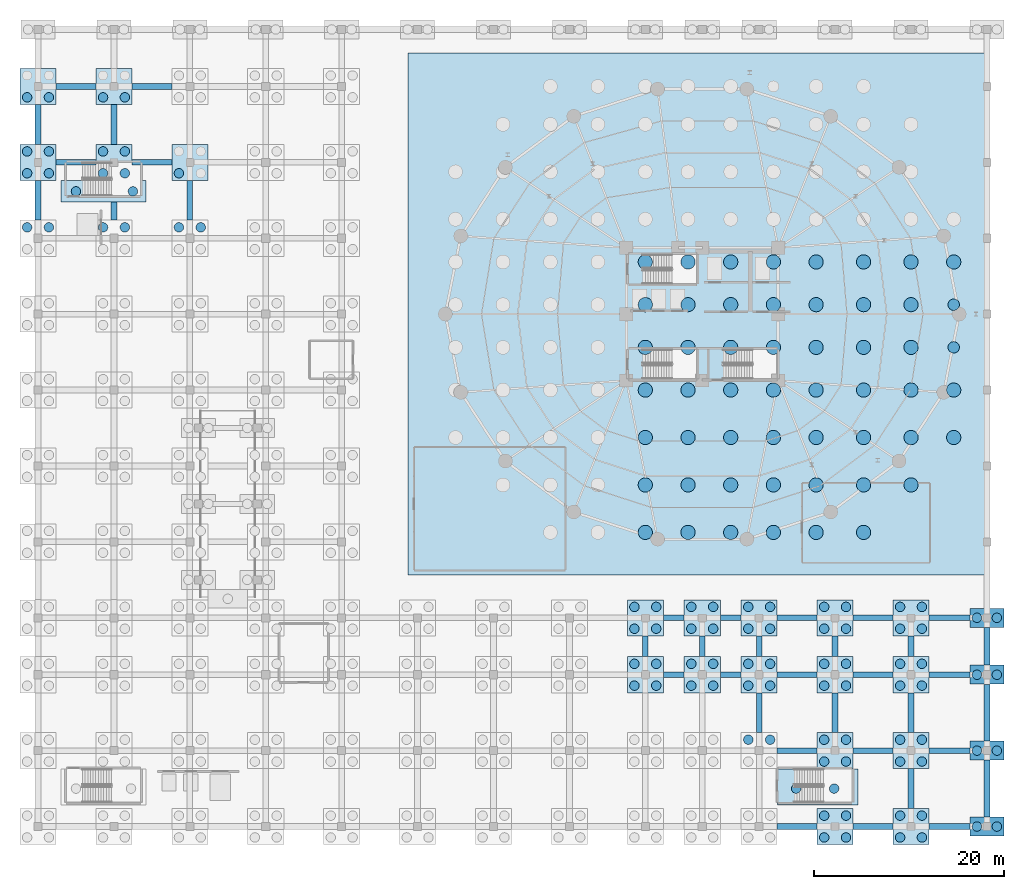
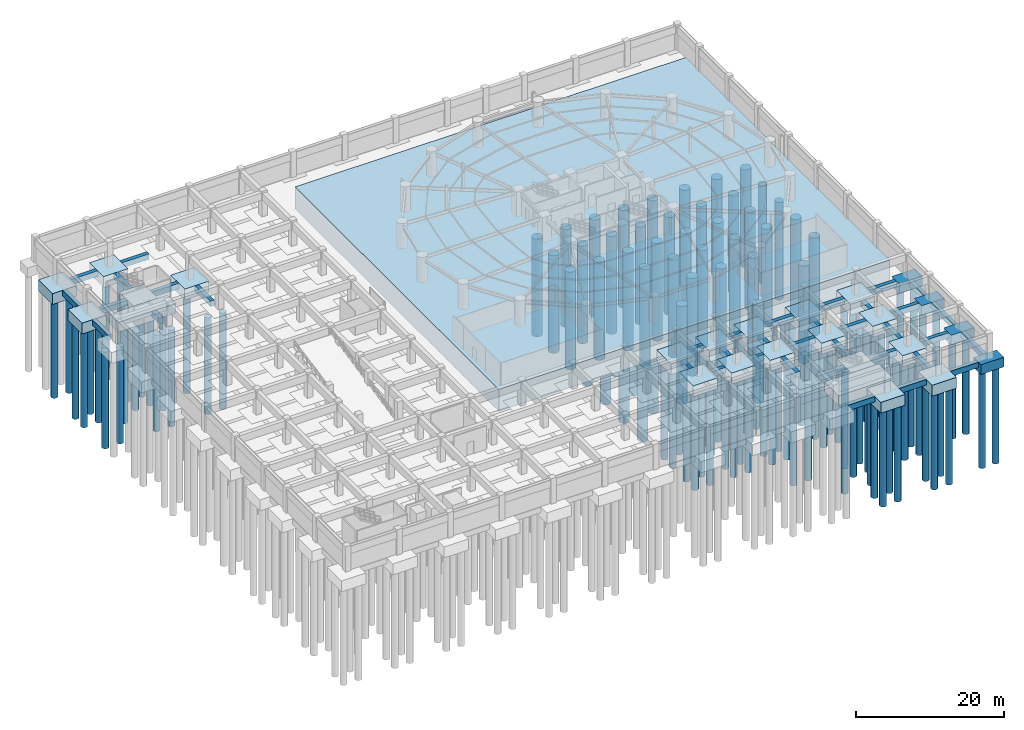
# One storey, part 3 of 23: 142 piles, 63 footings.
"""IFC4 building model written with IfcOpenShell, lengths in metres."""

from ifc_helpers import new_model, si_unit, direction, frame, origin, origin_2d, place, context, subcontext, project, spatial, polyline, rectangle, circle, outline, extrude, source, transform, mapped, material, material_profile, profile_set, type_object, element, save


model = new_model("IFC4")

# Units and contexts
model_context = context("Model", 3, precision=1e-05, world=origin(), true_north=direction((0.0, 1.0)))
body_context = subcontext(model_context, "Body", "Model", "MODEL_VIEW")
ifc_project = project(units=[si_unit("LENGTHUNIT", "METRE"), si_unit("AREAUNIT", "SQUARE_METRE"), si_unit("VOLUMEUNIT", "CUBIC_METRE"), si_unit("PLANEANGLEUNIT", "RADIAN"), si_unit("MASSUNIT", "GRAM", prefix="KILO")], contexts=[model_context])

# Site, building, storey
site_placement = place(None, origin())
site = spatial("IfcSite", under=ifc_project, at=site_placement, CompositionType="ELEMENT")
building_placement = place(site_placement, origin())
building = spatial("IfcBuilding", under=site, at=building_placement, Name="Kelanora Arch Commons", CompositionType="ELEMENT")
storey_placement = place(building_placement, frame((0.0, 0.0, -8.39990234375)))
storey = spatial("IfcBuildingStorey", under=building, at=storey_placement, Name="B02", CompositionType="ELEMENT", Elevation=-8.39990234375)

# Footing
ifc_material_1 = material(Name="Concrete C50/60", Category="concrete")
footing_type_1 = type_object("IfcFootingType", Name="FTG-TOWER-RAFT", PredefinedType="PILE_CAP", material=ifc_material_1)
footing_1_placement = place(storey_placement, frame((0.0, 0.0, -3.60009765625)))
element("IfcFooting", 1, at=footing_1_placement, inside=storey, type_object=footing_type_1, Name="Tower and Giant Arch Piled Raft", PredefinedType="PILE_CAP", context=body_context, shape_type="SweptSolid", body=[
    extrude(outline(polyline([(43.0, 30.5), (103.89990234375, 30.5), (103.89990234375, 85.5), (43.0, 85.5), (43.0, 30.5)])), origin(), (0.0, 0.0, 1.0), 3.60009765625),
])

# Piles
ifc_material_2 = material(Name="Concrete C45/55", Category="concrete")
ifc_material_profile_1 = material_profile(ifc_material_2, circle(Radius=0.75, at=origin_2d()), Name="PILE1500")
ifc_profile_set_1 = profile_set([ifc_material_profile_1], Name="Concrete C45/55")
pile_type_1 = type_object("IfcPileType", Name="PILE-TWR-1500", PredefinedType="BORED", material=ifc_profile_set_1)
shared_shape_1 = source(origin(), body_context, "Body", "SweptSolid", [
    extrude(circle(Radius=0.75, at=origin_2d()), origin(), (0.0, 0.0, 1.0), 16.10009765625),
])
for number, where, z_axis, x_axis, name in (
    (2, (68.0, 35.0, -3.5), (0.0, 0.0, -1.0), (1.0, 0.0, 0.0), "Tower Bored Pile 039"),
    (3, (68.0, 40.0, -3.5), (0.0, 0.0, -1.0), (1.0, 0.0, 0.0), "Tower Bored Pile 040"),
    (4, (68.0, 45.0, -3.5), (0.0, 0.0, -1.0), (1.0, 0.0, 0.0), "Tower Bored Pile 041"),
    (5, (68.0, 50.0, -3.5), (0.0, 0.0, -1.0), (1.0, 0.0, 0.0), "Tower Bored Pile 042"),
    (6, (68.0, 54.5, -3.5), (0.0, 0.0, -1.0), (1.0, 0.0, 0.0), "Tower Bored Pile 043"),
    (7, (68.0, 59.0, -3.5), (0.0, 0.0, -1.0), (1.0, 0.0, 0.0), "Tower Bored Pile 044"),
    (8, (68.0, 63.5, -3.5), (0.0, 0.0, -1.0), (1.0, 0.0, 0.0), "Tower Bored Pile 045"),
    (9, (72.5, 35.0, -3.5), (0.0, 0.0, -1.0), (1.0, 0.0, 0.0), "Tower Bored Pile 050"),
    (10, (72.5, 40.0, -3.5), (0.0, 0.0, -1.0), (1.0, 0.0, 0.0), "Tower Bored Pile 051"),
    (11, (72.5, 45.0, -3.5), (0.0, 0.0, -1.0), (1.0, 0.0, 0.0), "Tower Bored Pile 052"),
    (12, (72.5, 50.0, -3.5), (0.0, 0.0, -1.0), (1.0, 0.0, 0.0), "Tower Bored Pile 053"),
    (13, (72.5, 54.5, -3.5), (0.0, 0.0, -1.0), (1.0, 0.0, 0.0), "Tower Bored Pile 054"),
    (14, (72.5, 59.0, -3.5), (0.0, 0.0, -1.0), (1.0, 0.0, 0.0), "Tower Bored Pile 055"),
    (15, (72.5, 63.5, -3.5), (0.0, 0.0, -1.0), (1.0, 0.0, 0.0), "Tower Bored Pile 056"),
    (16, (77.0, 35.0, -3.5), (0.0, 0.0, -1.0), (1.0, 0.0, 0.0), "Tower Bored Pile 061"),
    (17, (77.0, 40.0, -3.5), (0.0, 0.0, -1.0), (1.0, 0.0, 0.0), "Tower Bored Pile 062"),
    (18, (77.0, 45.0, -3.5), (0.0, 0.0, -1.0), (1.0, 0.0, 0.0), "Tower Bored Pile 063"),
    (19, (77.0, 50.0, -3.5), (0.0, 0.0, -1.0), (1.0, 0.0, 0.0), "Tower Bored Pile 064"),
    (20, (77.0, 54.5, -3.5), (0.0, 0.0, -1.0), (1.0, 0.0, 0.0), "Tower Bored Pile 065"),
    (21, (77.0, 59.0, -3.5), (0.0, 0.0, -1.0), (1.0, 0.0, 0.0), "Tower Bored Pile 066"),
    (22, (77.0, 63.5, -3.5), (0.0, 0.0, -1.0), (1.0, 0.0, 0.0), "Tower Bored Pile 067"),
    (23, (81.5, 35.0, -3.5), (0.0, 0.0, -1.0), (1.0, 0.0, 0.0), "Tower Bored Pile 072"),
    (24, (81.5, 40.0, -3.5), (0.0, 0.0, -1.0), (1.0, 0.0, 0.0), "Tower Bored Pile 073"),
    (25, (81.5, 45.0, -3.5), (0.0, 0.0, -1.0), (1.0, 0.0, 0.0), "Tower Bored Pile 074"),
    (26, (81.5, 50.0, -3.5), (0.0, 0.0, -1.0), (1.0, 0.0, 0.0), "Tower Bored Pile 075"),
    (27, (81.5, 54.5, -3.5), (0.0, 0.0, -1.0), (1.0, 0.0, 0.0), "Tower Bored Pile 076"),
    (28, (81.5, 59.0, -3.5), (0.0, 0.0, -1.0), (1.0, 0.0, 0.0), "Tower Bored Pile 077"),
    (29, (81.5, 63.5, -3.5), (0.0, 0.0, -1.0), (1.0, 0.0, 0.0), "Tower Bored Pile 078"),
    (30, (86.0, 35.0, -3.5), (0.0, 0.0, -1.0), (1.0, 0.0, 0.0), "Tower Bored Pile 083"),
    (31, (86.0, 40.0, -3.5), (0.0, 0.0, -1.0), (1.0, 0.0, 0.0), "Tower Bored Pile 084"),
    (32, (86.0, 45.0, -3.5), (0.0, 0.0, -1.0), (1.0, 0.0, 0.0), "Tower Bored Pile 085"),
    (33, (86.0, 50.0, -3.5), (0.0, 0.0, -1.0), (1.0, 0.0, 0.0), "Tower Bored Pile 086"),
    (34, (86.0, 54.5, -3.5), (0.0, 0.0, -1.0), (1.0, 0.0, 0.0), "Tower Bored Pile 087"),
    (35, (86.0, 59.0, -3.5), (0.0, 0.0, -1.0), (1.0, 0.0, 0.0), "Tower Bored Pile 088"),
    (36, (86.0, 63.5, -3.5), (0.0, 0.0, -1.0), (1.0, 0.0, 0.0), "Tower Bored Pile 089"),
    (37, (91.0, 35.0, -3.5), (0.0, 0.0, -1.0), (1.0, 0.0, 0.0), "Tower Bored Pile 094"),
    (38, (91.0, 40.0, -3.5), (0.0, 0.0, -1.0), (1.0, 0.0, 0.0), "Tower Bored Pile 095"),
    (39, (91.0, 45.0, -3.5), (0.0, 0.0, -1.0), (1.0, 0.0, 0.0), "Tower Bored Pile 096"),
    (40, (91.0, 50.0, -3.5), (0.0, 0.0, -1.0), (1.0, 0.0, 0.0), "Tower Bored Pile 097"),
    (41, (91.0, 54.5, -3.5), (0.0, 0.0, -1.0), (1.0, 0.0, 0.0), "Tower Bored Pile 098"),
    (42, (91.0, 59.0, -3.5), (0.0, 0.0, -1.0), (1.0, 0.0, 0.0), "Tower Bored Pile 099"),
    (43, (91.0, 63.5, -3.5), (0.0, 0.0, -1.0), (1.0, 0.0, 0.0), "Tower Bored Pile 100"),
    (44, (96.0, 40.0, -3.5), (0.0, 0.0, -1.0), (1.0, 0.0, 0.0), "Tower Bored Pile 105"),
    (45, (96.0, 45.0, -3.5), (0.0, 0.0, -1.0), (1.0, 0.0, 0.0), "Tower Bored Pile 106"),
    (46, (96.0, 50.0, -3.5), (0.0, 0.0, -1.0), (1.0, 0.0, 0.0), "Tower Bored Pile 107"),
    (47, (96.0, 54.5, -3.5), (0.0, 0.0, -1.0), (1.0, 0.0, 0.0), "Tower Bored Pile 108"),
    (48, (96.0, 59.0, -3.5), (0.0, 0.0, -1.0), (1.0, 0.0, 0.0), "Tower Bored Pile 109"),
    (49, (96.0, 63.5, -3.5), (0.0, 0.0, -1.0), (1.0, 0.0, 0.0), "Tower Bored Pile 110"),
    (50, (100.5, 45.0, -3.5), (0.0, 0.0, -1.0), (1.0, 0.0, 0.0), "Tower Bored Pile 114"),
    (51, (100.5, 50.0, -3.5), (0.0, 0.0, -1.0), (1.0, 0.0, 0.0), "Tower Bored Pile 115"),
    (52, (100.5, 63.5, -3.5), (0.0, 0.0, -1.0), (1.0, 0.0, 0.0), "Tower Bored Pile 118"),
):
    element("IfcPile", number, at=place(storey_placement, frame(where, z_axis=z_axis, x_axis=x_axis)), inside=storey, type_object=pile_type_1, Name=name, PredefinedType="BORED", context=body_context, shape_type="MappedRepresentation", body=[
        mapped(shared_shape_1, transform((0.0, 0.0, 0.0), scale=1.0)),
    ])
ifc_material_profile_2 = material_profile(ifc_material_2, circle(Radius=0.60009765625, at=origin_2d()), Name="PILE1200")
ifc_profile_set_2 = profile_set([ifc_material_profile_2], Name="Concrete C45/55")
pile_type_2 = type_object("IfcPileType", Name="PILE-ABT-1200", PredefinedType="BORED", material=ifc_profile_set_2)
shared_shape_2 = source(origin(), body_context, "Body", "SweptSolid", [
    extrude(circle(Radius=0.60009765625, at=origin_2d()), origin(), (0.0, 0.0, 1.0), 16.10009765625),
])
for number, where, z_axis, x_axis, name in (
    (53, (100.5, 54.5, -3.5), (0.0, 0.0, -1.0), (1.0, 0.0, 0.0), "Tower Bored Pile 116"),
    (54, (100.5, 59.0, -3.5), (0.0, 0.0, -1.0), (1.0, 0.0, 0.0), "Tower Bored Pile 117"),
):
    element("IfcPile", number, at=place(storey_placement, frame(where, z_axis=z_axis, x_axis=x_axis)), inside=storey, type_object=pile_type_2, Name=name, PredefinedType="BORED", context=body_context, shape_type="MappedRepresentation", body=[
        mapped(shared_shape_2, transform((0.0, 0.0, 0.0), scale=1.0)),
    ])

# Footings
ifc_material_3 = material(Name="Concrete C40/50", Category="concrete")
footing_type_2 = type_object("IfcFootingType", Name="FTG-MKT-CAP4", PredefinedType="PILE_CAP", material=ifc_material_3)
shared_shape_3 = source(origin(), body_context, "Body", "SweptSolid", [
    extrude(rectangle(XDim=3.800048828125, YDim=3.800048828125, at=origin_2d()), origin(), (0.0, 0.0, 1.0), 1.800048828125),
])
for number, where, z_axis, x_axis, name in (
    (55, (4.0, 74.0, -1.80029296875), (0.0, 0.0, 1.0), (1.0, 0.0, 0.0), "Pile Cap 1-K"),
    (56, (4.0, 82.0, -1.80029296875), (0.0, 0.0, 1.0), (1.0, 0.0, 0.0), "Pile Cap 1-L"),
    (57, (12.0, 74.0, -1.80029296875), (0.0, 0.0, 1.0), (1.0, 0.0, 0.0), "Pile Cap 2-K"),
    (58, (12.0, 82.0, -1.80029296875), (0.0, 0.0, 1.0), (1.0, 0.0, 0.0), "Pile Cap 2-L"),
    (59, (20.0, 74.0, -1.80029296875), (0.0, 0.0, 1.0), (1.0, 0.0, 0.0), "Pile Cap 3-K"),
    (60, (68.0, 20.0, -1.80029296875), (0.0, 0.0, 1.0), (1.0, 0.0, 0.0), "Pile Cap 9-C"),
    (61, (68.0, 26.0, -1.80029296875), (0.0, 0.0, 1.0), (1.0, 0.0, 0.0), "Pile Cap 9-D"),
    (62, (74.0, 20.0, -1.80029296875), (0.0, 0.0, 1.0), (1.0, 0.0, 0.0), "Pile Cap 10-C"),
    (63, (74.0, 26.0, -1.80029296875), (0.0, 0.0, 1.0), (1.0, 0.0, 0.0), "Pile Cap 10-D"),
    (64, (80.0, 20.0, -1.80029296875), (0.0, 0.0, 1.0), (1.0, 0.0, 0.0), "Pile Cap 11-C"),
    (65, (80.0, 26.0, -1.80029296875), (0.0, 0.0, 1.0), (1.0, 0.0, 0.0), "Pile Cap 11-D"),
    (66, (88.0, 4.0, -1.80029296875), (0.0, 0.0, 1.0), (1.0, 0.0, 0.0), "Pile Cap 12-A"),
    (67, (88.0, 12.0, -1.80029296875), (0.0, 0.0, 1.0), (1.0, 0.0, 0.0), "Pile Cap 12-B"),
    (68, (88.0, 20.0, -1.80029296875), (0.0, 0.0, 1.0), (1.0, 0.0, 0.0), "Pile Cap 12-C"),
    (69, (88.0, 26.0, -1.80029296875), (0.0, 0.0, 1.0), (1.0, 0.0, 0.0), "Pile Cap 12-D"),
    (70, (96.0, 4.0, -1.80029296875), (0.0, 0.0, 1.0), (1.0, 0.0, 0.0), "Pile Cap 13-A"),
    (71, (96.0, 12.0, -1.80029296875), (0.0, 0.0, 1.0), (1.0, 0.0, 0.0), "Pile Cap 13-B"),
    (72, (96.0, 20.0, -1.80029296875), (0.0, 0.0, 1.0), (1.0, 0.0, 0.0), "Pile Cap 13-C"),
    (73, (96.0, 26.0, -1.80029296875), (0.0, 0.0, 1.0), (1.0, 0.0, 0.0), "Pile Cap 13-D"),
):
    element("IfcFooting", number, at=place(storey_placement, frame(where, z_axis=z_axis, x_axis=x_axis)), inside=storey, type_object=footing_type_2, Name=name, PredefinedType="PILE_CAP", context=body_context, shape_type="MappedRepresentation", body=[
        mapped(shared_shape_3, transform((0.0, 0.0, 0.0), scale=1.0)),
    ])

# Piles
ifc_material_profile_3 = material_profile(ifc_material_2, circle(Radius=0.5, at=origin_2d()), Name="PILE1000")
ifc_profile_set_3 = profile_set([ifc_material_profile_3], Name="Concrete C45/55")
pile_type_3 = type_object("IfcPileType", Name="PILE-MKT-1000", PredefinedType="BORED", material=ifc_profile_set_3)
shared_shape_4 = source(origin(), body_context, "Body", "SweptSolid", [
    extrude(circle(Radius=0.5, at=origin_2d()), origin(), (0.0, 0.0, 1.0), 15.89990234375),
])
for number, where, z_axis, x_axis, name in (
    (74, (5.14990234375, 67.14990234375, -1.7001953125), (0.0, 0.0, -1.0), (1.0, 0.0, 0.0), "Market Bored Pile 1-J-3"),
    (75, (2.85009765625, 67.14990234375, -1.7001953125), (0.0, 0.0, -1.0), (1.0, 0.0, 0.0), "Market Bored Pile 1-J-4"),
    (76, (2.85009765625, 72.85009765625, -1.7001953125), (0.0, 0.0, -1.0), (1.0, 0.0, 0.0), "Market Bored Pile 1-K-1"),
    (77, (5.14990234375, 72.85009765625, -1.7001953125), (0.0, 0.0, -1.0), (1.0, 0.0, 0.0), "Market Bored Pile 1-K-2"),
    (78, (5.14990234375, 75.14990234375, -1.7001953125), (0.0, 0.0, -1.0), (1.0, 0.0, 0.0), "Market Bored Pile 1-K-3"),
    (79, (2.85009765625, 75.14990234375, -1.7001953125), (0.0, 0.0, -1.0), (1.0, 0.0, 0.0), "Market Bored Pile 1-K-4"),
    (80, (2.85009765625, 80.85009765625, -1.7001953125), (0.0, 0.0, -1.0), (1.0, 0.0, 0.0), "Market Bored Pile 1-L-1"),
    (81, (5.14990234375, 80.85009765625, -1.7001953125), (0.0, 0.0, -1.0), (1.0, 0.0, 0.0), "Market Bored Pile 1-L-2"),
    (82, (13.14990234375, 67.14990234375, -1.7001953125), (0.0, 0.0, -1.0), (1.0, 0.0, 0.0), "Market Bored Pile 2-J-3"),
    (83, (10.85009765625, 67.14990234375, -1.7001953125), (0.0, 0.0, -1.0), (1.0, 0.0, 0.0), "Market Bored Pile 2-J-4"),
    (84, (10.85009765625, 72.85009765625, -1.7001953125), (0.0, 0.0, -1.0), (1.0, 0.0, 0.0), "Market Bored Pile 2-K-1"),
    (85, (13.14990234375, 72.85009765625, -1.7001953125), (0.0, 0.0, -1.0), (1.0, 0.0, 0.0), "Market Bored Pile 2-K-2"),
    (86, (13.14990234375, 75.14990234375, -1.7001953125), (0.0, 0.0, -1.0), (1.0, 0.0, 0.0), "Market Bored Pile 2-K-3"),
    (87, (10.85009765625, 75.14990234375, -1.7001953125), (0.0, 0.0, -1.0), (1.0, 0.0, 0.0), "Market Bored Pile 2-K-4"),
    (88, (10.85009765625, 80.85009765625, -1.7001953125), (0.0, 0.0, -1.0), (1.0, 0.0, 0.0), "Market Bored Pile 2-L-1"),
    (89, (13.14990234375, 80.85009765625, -1.7001953125), (0.0, 0.0, -1.0), (1.0, 0.0, 0.0), "Market Bored Pile 2-L-2"),
    (90, (21.14990234375, 67.14990234375, -1.7001953125), (0.0, 0.0, -1.0), (1.0, 0.0, 0.0), "Market Bored Pile 3-J-3"),
    (91, (18.85009765625, 67.14990234375, -1.7001953125), (0.0, 0.0, -1.0), (1.0, 0.0, 0.0), "Market Bored Pile 3-J-4"),
    (92, (18.85009765625, 72.85009765625, -1.7001953125), (0.0, 0.0, -1.0), (1.0, 0.0, 0.0), "Market Bored Pile 3-K-1"),
    (93, (66.85009765625, 18.85009765625, -1.7001953125), (0.0, 0.0, -1.0), (1.0, 0.0, 0.0), "Market Bored Pile 9-C-1"),
    (94, (69.14990234375, 18.85009765625, -1.7001953125), (0.0, 0.0, -1.0), (1.0, 0.0, 0.0), "Market Bored Pile 9-C-2"),
    (95, (69.14990234375, 21.14990234375, -1.7001953125), (0.0, 0.0, -1.0), (1.0, 0.0, 0.0), "Market Bored Pile 9-C-3"),
    (96, (66.85009765625, 21.14990234375, -1.7001953125), (0.0, 0.0, -1.0), (1.0, 0.0, 0.0), "Market Bored Pile 9-C-4"),
    (97, (66.85009765625, 24.85009765625, -1.7001953125), (0.0, 0.0, -1.0), (1.0, 0.0, 0.0), "Market Bored Pile 9-D-1"),
    (98, (69.14990234375, 24.85009765625, -1.7001953125), (0.0, 0.0, -1.0), (1.0, 0.0, 0.0), "Market Bored Pile 9-D-2"),
    (99, (69.14990234375, 27.14990234375, -1.7001953125), (0.0, 0.0, -1.0), (1.0, 0.0, 0.0), "Market Bored Pile 9-D-3"),
    (100, (66.85009765625, 27.14990234375, -1.7001953125), (0.0, 0.0, -1.0), (1.0, 0.0, 0.0), "Market Bored Pile 9-D-4"),
    (101, (72.85009765625, 18.85009765625, -1.7001953125), (0.0, 0.0, -1.0), (1.0, 0.0, 0.0), "Market Bored Pile 10-C-1"),
    (102, (75.14990234375, 18.85009765625, -1.7001953125), (0.0, 0.0, -1.0), (1.0, 0.0, 0.0), "Market Bored Pile 10-C-2"),
    (103, (75.14990234375, 21.14990234375, -1.7001953125), (0.0, 0.0, -1.0), (1.0, 0.0, 0.0), "Market Bored Pile 10-C-3"),
    (104, (72.85009765625, 21.14990234375, -1.7001953125), (0.0, 0.0, -1.0), (1.0, 0.0, 0.0), "Market Bored Pile 10-C-4"),
    (105, (72.85009765625, 24.85009765625, -1.7001953125), (0.0, 0.0, -1.0), (1.0, 0.0, 0.0), "Market Bored Pile 10-D-1"),
    (106, (75.14990234375, 24.85009765625, -1.7001953125), (0.0, 0.0, -1.0), (1.0, 0.0, 0.0), "Market Bored Pile 10-D-2"),
    (107, (75.14990234375, 27.14990234375, -1.7001953125), (0.0, 0.0, -1.0), (1.0, 0.0, 0.0), "Market Bored Pile 10-D-3"),
    (108, (72.85009765625, 27.14990234375, -1.7001953125), (0.0, 0.0, -1.0), (1.0, 0.0, 0.0), "Market Bored Pile 10-D-4"),
    (109, (81.14990234375, 13.14990234375, -1.7001953125), (0.0, 0.0, -1.0), (1.0, 0.0, 0.0), "Market Bored Pile 11-B-3"),
    (110, (78.85009765625, 13.14990234375, -1.7001953125), (0.0, 0.0, -1.0), (1.0, 0.0, 0.0), "Market Bored Pile 11-B-4"),
    (111, (78.85009765625, 18.85009765625, -1.7001953125), (0.0, 0.0, -1.0), (1.0, 0.0, 0.0), "Market Bored Pile 11-C-1"),
    (112, (81.14990234375, 18.85009765625, -1.7001953125), (0.0, 0.0, -1.0), (1.0, 0.0, 0.0), "Market Bored Pile 11-C-2"),
    (113, (81.14990234375, 21.14990234375, -1.7001953125), (0.0, 0.0, -1.0), (1.0, 0.0, 0.0), "Market Bored Pile 11-C-3"),
    (114, (78.85009765625, 21.14990234375, -1.7001953125), (0.0, 0.0, -1.0), (1.0, 0.0, 0.0), "Market Bored Pile 11-C-4"),
    (115, (78.85009765625, 24.85009765625, -1.7001953125), (0.0, 0.0, -1.0), (1.0, 0.0, 0.0), "Market Bored Pile 11-D-1"),
    (116, (81.14990234375, 24.85009765625, -1.7001953125), (0.0, 0.0, -1.0), (1.0, 0.0, 0.0), "Market Bored Pile 11-D-2"),
    (117, (81.14990234375, 27.14990234375, -1.7001953125), (0.0, 0.0, -1.0), (1.0, 0.0, 0.0), "Market Bored Pile 11-D-3"),
    (118, (78.85009765625, 27.14990234375, -1.7001953125), (0.0, 0.0, -1.0), (1.0, 0.0, 0.0), "Market Bored Pile 11-D-4"),
    (119, (86.85009765625, 2.85009765625, -1.7001953125), (0.0, 0.0, -1.0), (1.0, 0.0, 0.0), "Market Bored Pile 12-A-1"),
    (120, (89.14990234375, 2.85009765625, -1.7001953125), (0.0, 0.0, -1.0), (1.0, 0.0, 0.0), "Market Bored Pile 12-A-2"),
    (121, (89.14990234375, 5.14990234375, -1.7001953125), (0.0, 0.0, -1.0), (1.0, 0.0, 0.0), "Market Bored Pile 12-A-3"),
    (122, (86.85009765625, 5.14990234375, -1.7001953125), (0.0, 0.0, -1.0), (1.0, 0.0, 0.0), "Market Bored Pile 12-A-4"),
    (123, (86.85009765625, 10.85009765625, -1.7001953125), (0.0, 0.0, -1.0), (1.0, 0.0, 0.0), "Market Bored Pile 12-B-1"),
    (124, (89.14990234375, 10.85009765625, -1.7001953125), (0.0, 0.0, -1.0), (1.0, 0.0, 0.0), "Market Bored Pile 12-B-2"),
    (125, (89.14990234375, 13.14990234375, -1.7001953125), (0.0, 0.0, -1.0), (1.0, 0.0, 0.0), "Market Bored Pile 12-B-3"),
    (126, (86.85009765625, 13.14990234375, -1.7001953125), (0.0, 0.0, -1.0), (1.0, 0.0, 0.0), "Market Bored Pile 12-B-4"),
    (127, (86.85009765625, 18.85009765625, -1.7001953125), (0.0, 0.0, -1.0), (1.0, 0.0, 0.0), "Market Bored Pile 12-C-1"),
    (128, (89.14990234375, 18.85009765625, -1.7001953125), (0.0, 0.0, -1.0), (1.0, 0.0, 0.0), "Market Bored Pile 12-C-2"),
    (129, (89.14990234375, 21.14990234375, -1.7001953125), (0.0, 0.0, -1.0), (1.0, 0.0, 0.0), "Market Bored Pile 12-C-3"),
    (130, (86.85009765625, 21.14990234375, -1.7001953125), (0.0, 0.0, -1.0), (1.0, 0.0, 0.0), "Market Bored Pile 12-C-4"),
    (131, (86.85009765625, 24.85009765625, -1.7001953125), (0.0, 0.0, -1.0), (1.0, 0.0, 0.0), "Market Bored Pile 12-D-1"),
    (132, (89.14990234375, 24.85009765625, -1.7001953125), (0.0, 0.0, -1.0), (1.0, 0.0, 0.0), "Market Bored Pile 12-D-2"),
    (133, (89.14990234375, 27.14990234375, -1.7001953125), (0.0, 0.0, -1.0), (1.0, 0.0, 0.0), "Market Bored Pile 12-D-3"),
    (134, (86.85009765625, 27.14990234375, -1.7001953125), (0.0, 0.0, -1.0), (1.0, 0.0, 0.0), "Market Bored Pile 12-D-4"),
    (135, (94.85009765625, 2.85009765625, -1.7001953125), (0.0, 0.0, -1.0), (1.0, 0.0, 0.0), "Market Bored Pile 13-A-1"),
    (136, (97.14990234375, 2.85009765625, -1.7001953125), (0.0, 0.0, -1.0), (1.0, 0.0, 0.0), "Market Bored Pile 13-A-2"),
    (137, (97.14990234375, 5.14990234375, -1.7001953125), (0.0, 0.0, -1.0), (1.0, 0.0, 0.0), "Market Bored Pile 13-A-3"),
    (138, (94.85009765625, 5.14990234375, -1.7001953125), (0.0, 0.0, -1.0), (1.0, 0.0, 0.0), "Market Bored Pile 13-A-4"),
    (139, (94.85009765625, 10.85009765625, -1.7001953125), (0.0, 0.0, -1.0), (1.0, 0.0, 0.0), "Market Bored Pile 13-B-1"),
    (140, (97.14990234375, 10.85009765625, -1.7001953125), (0.0, 0.0, -1.0), (1.0, 0.0, 0.0), "Market Bored Pile 13-B-2"),
    (141, (97.14990234375, 13.14990234375, -1.7001953125), (0.0, 0.0, -1.0), (1.0, 0.0, 0.0), "Market Bored Pile 13-B-3"),
    (142, (94.85009765625, 13.14990234375, -1.7001953125), (0.0, 0.0, -1.0), (1.0, 0.0, 0.0), "Market Bored Pile 13-B-4"),
    (143, (94.85009765625, 18.85009765625, -1.7001953125), (0.0, 0.0, -1.0), (1.0, 0.0, 0.0), "Market Bored Pile 13-C-1"),
    (144, (97.14990234375, 18.85009765625, -1.7001953125), (0.0, 0.0, -1.0), (1.0, 0.0, 0.0), "Market Bored Pile 13-C-2"),
    (145, (97.14990234375, 21.14990234375, -1.7001953125), (0.0, 0.0, -1.0), (1.0, 0.0, 0.0), "Market Bored Pile 13-C-3"),
    (146, (94.85009765625, 21.14990234375, -1.7001953125), (0.0, 0.0, -1.0), (1.0, 0.0, 0.0), "Market Bored Pile 13-C-4"),
    (147, (94.85009765625, 24.85009765625, -1.7001953125), (0.0, 0.0, -1.0), (1.0, 0.0, 0.0), "Market Bored Pile 13-D-1"),
    (148, (97.14990234375, 24.85009765625, -1.7001953125), (0.0, 0.0, -1.0), (1.0, 0.0, 0.0), "Market Bored Pile 13-D-2"),
    (149, (97.14990234375, 27.14990234375, -1.7001953125), (0.0, 0.0, -1.0), (1.0, 0.0, 0.0), "Market Bored Pile 13-D-3"),
    (150, (94.85009765625, 27.14990234375, -1.7001953125), (0.0, 0.0, -1.0), (1.0, 0.0, 0.0), "Market Bored Pile 13-D-4"),
):
    element("IfcPile", number, at=place(storey_placement, frame(where, z_axis=z_axis, x_axis=x_axis)), inside=storey, type_object=pile_type_3, Name=name, PredefinedType="BORED", context=body_context, shape_type="MappedRepresentation", body=[
        mapped(shared_shape_4, transform((0.0, 0.0, 0.0), scale=1.0)),
    ])

# Footings
footing_type_3 = type_object("IfcFootingType", Name="FTG-MKT-CAP2", PredefinedType="PILE_CAP", material=ifc_material_3)
shared_shape_5 = source(origin(), body_context, "Body", "SweptSolid", [
    extrude(rectangle(XDim=3.60009765625, YDim=2.0, at=origin_2d()), origin(), (0.0, 0.0, 1.0), 1.60009765625),
])
for number, where, z_axis, x_axis, name in (
    (151, (104.0, 4.0, -1.60009765625), (0.0, 0.0, 1.0), (1.0, 0.0, 0.0), "Pile Cap 14-A"),
    (152, (104.0, 12.0, -1.60009765625), (0.0, 0.0, 1.0), (1.0, 0.0, 0.0), "Pile Cap 14-B"),
    (153, (104.0, 20.0, -1.60009765625), (0.0, 0.0, 1.0), (1.0, 0.0, 0.0), "Pile Cap 14-C"),
    (154, (104.0, 26.0, -1.60009765625), (0.0, 0.0, 1.0), (1.0, 0.0, 0.0), "Pile Cap 14-D"),
):
    element("IfcFooting", number, at=place(storey_placement, frame(where, z_axis=z_axis, x_axis=x_axis)), inside=storey, type_object=footing_type_3, Name=name, PredefinedType="PILE_CAP", context=body_context, shape_type="MappedRepresentation", body=[
        mapped(shared_shape_5, transform((0.0, 0.0, 0.0), scale=1.0)),
    ])

# Piles
shared_shape_6 = source(origin(), body_context, "Body", "SweptSolid", [
    extrude(circle(Radius=0.5, at=origin_2d()), origin(), (0.0, 0.0, 1.0), 16.10009765625),
])
for number, where, z_axis, x_axis, name in (
    (155, (102.949951171875, 4.0, -1.5), (0.0, 0.0, -1.0), (1.0, 0.0, 0.0), "Market Bored Pile 14-A-1"),
    (156, (105.050048828125, 4.0, -1.5), (0.0, 0.0, -1.0), (1.0, 0.0, 0.0), "Market Bored Pile 14-A-2"),
    (157, (102.949951171875, 12.0, -1.5), (0.0, 0.0, -1.0), (1.0, 0.0, 0.0), "Market Bored Pile 14-B-1"),
    (158, (105.050048828125, 12.0, -1.5), (0.0, 0.0, -1.0), (1.0, 0.0, 0.0), "Market Bored Pile 14-B-2"),
    (159, (102.949951171875, 20.0, -1.5), (0.0, 0.0, -1.0), (1.0, 0.0, 0.0), "Market Bored Pile 14-C-1"),
    (160, (105.050048828125, 20.0, -1.5), (0.0, 0.0, -1.0), (1.0, 0.0, 0.0), "Market Bored Pile 14-C-2"),
    (161, (102.949951171875, 26.0, -1.5), (0.0, 0.0, -1.0), (1.0, 0.0, 0.0), "Market Bored Pile 14-D-1"),
    (162, (105.050048828125, 26.0, -1.5), (0.0, 0.0, -1.0), (1.0, 0.0, 0.0), "Market Bored Pile 14-D-2"),
    (163, (83.89990234375, 8.0, -1.5), (0.0, 0.0, -1.0), (1.0, 0.0, 0.0), "Strip Footing Bored Pile ST-M2-S-1"),
    (164, (87.89990234375, 8.0, -1.5), (0.0, 0.0, -1.0), (1.0, 0.0, 0.0), "Strip Footing Bored Pile ST-M2-S-2"),
    (165, (8.0, 70.93994140625, -1.5), (0.0, 0.0, -1.0), (1.0, 0.0, 0.0), "Strip Footing Bored Pile ST-M3-S-1"),
    (166, (14.0, 70.93994140625, -1.5), (0.0, 0.0, -1.0), (1.0, 0.0, 0.0), "Strip Footing Bored Pile ST-M3-S-2"),
):
    element("IfcPile", number, at=place(storey_placement, frame(where, z_axis=z_axis, x_axis=x_axis)), inside=storey, type_object=pile_type_3, Name=name, PredefinedType="BORED", context=body_context, shape_type="MappedRepresentation", body=[
        mapped(shared_shape_6, transform((0.0, 0.0, 0.0), scale=1.0)),
    ])

# Footings
footing_type_4 = type_object("IfcFootingType", Name="FTG-RET-STRIP", PredefinedType="STRIP_FOOTING", material=ifc_material_3)
shared_shape_7 = source(origin(), body_context, "Body", "SweptSolid", [
    extrude(rectangle(XDim=8.47998046875, YDim=3.800048828125, at=origin_2d()), origin(), (0.0, 0.0, 1.0), 1.60009765625),
])
footing_2_placement = place(storey_placement, frame((86.159912109375, 8.179931640625, -1.60009765625), z_axis=(0.0, 0.0, 1.0), x_axis=(1.0, 0.0, 0.0)))
element("IfcFooting", 167, at=footing_2_placement, inside=storey, type_object=footing_type_4, Name="Ramp/Stair Strip Footing ST-M2-S", PredefinedType="STRIP_FOOTING", context=body_context, shape_type="MappedRepresentation", body=[
    mapped(shared_shape_7, transform((0.0, 0.0, 0.0), scale=1.0)),
])
shared_shape_8 = source(origin(), body_context, "Body", "SweptSolid", [
    extrude(rectangle(XDim=9.0, YDim=2.280029296875, at=origin_2d()), origin(), (0.0, 0.0, 1.0), 1.60009765625),
])
footing_3_placement = place(storey_placement, frame((10.89990234375, 70.93994140625, -1.60009765625), z_axis=(0.0, 0.0, 1.0), x_axis=(1.0, 0.0, 0.0)))
element("IfcFooting", 168, at=footing_3_placement, inside=storey, type_object=footing_type_4, Name="Ramp/Stair Strip Footing ST-M3-S", PredefinedType="STRIP_FOOTING", context=body_context, shape_type="MappedRepresentation", body=[
    mapped(shared_shape_8, transform((0.0, 0.0, 0.0), scale=1.0)),
])
footing_type_5 = type_object("IfcFootingType", Name="FTG-TIE-BEAM", PredefinedType="FOOTING_BEAM", material=ifc_material_3)
shared_shape_9 = source(origin(), body_context, "Body", "SweptSolid", [
    extrude(rectangle(XDim=4.194091796875, YDim=0.60009765625, at=origin_2d()), origin(), (0.0, 0.0, 1.0), 0.89990234375),
])
for number, where, z_axis, x_axis, name in (
    (169, (4.0, 70.0, -0.900146484375), (0.0, 0.0, 1.0), (0.0, 1.0, 0.0), "Ground Tie Beam 018"),
    (170, (8.0, 74.0, -0.900146484375), (0.0, 0.0, 1.0), (1.0, 0.0, 0.0), "Ground Tie Beam 019"),
    (171, (4.0, 78.0, -0.900146484375), (0.0, 0.0, 1.0), (0.0, 1.0, 0.0), "Ground Tie Beam 020"),
    (172, (8.0, 82.0, -0.900146484375), (0.0, 0.0, 1.0), (1.0, 0.0, 0.0), "Ground Tie Beam 021"),
    (173, (16.0, 74.0, -0.900146484375), (0.0, 0.0, 1.0), (1.0, 0.0, 0.0), "Ground Tie Beam 041"),
    (174, (12.0, 78.0, -0.900146484375), (0.0, 0.0, 1.0), (0.0, 1.0, 0.0), "Ground Tie Beam 042"),
    (175, (16.0, 82.0, -0.900146484375), (0.0, 0.0, 1.0), (1.0, 0.0, 0.0), "Ground Tie Beam 043"),
    (176, (20.0, 70.0, -0.900146484375), (0.0, 0.0, 1.0), (0.0, 1.0, 0.0), "Ground Tie Beam 066"),
    (177, (84.0, 4.0, -0.900146484375), (0.0, 0.0, 1.0), (1.0, 0.0, 0.0), "Ground Tie Beam 154"),
    (178, (84.0, 12.0, -0.900146484375), (0.0, 0.0, 1.0), (1.0, 0.0, 0.0), "Ground Tie Beam 156"),
    (179, (80.0, 16.0, -0.900146484375), (0.0, 0.0, 1.0), (0.0, 1.0, 0.0), "Ground Tie Beam 157"),
    (180, (84.0, 20.0, -0.900146484375), (0.0, 0.0, 1.0), (1.0, 0.0, 0.0), "Ground Tie Beam 158"),
    (181, (84.0, 26.0, -0.900146484375), (0.0, 0.0, 1.0), (1.0, 0.0, 0.0), "Ground Tie Beam 160"),
    (182, (92.0, 4.0, -0.900146484375), (0.0, 0.0, 1.0), (1.0, 0.0, 0.0), "Ground Tie Beam 162"),
    (183, (92.0, 12.0, -0.900146484375), (0.0, 0.0, 1.0), (1.0, 0.0, 0.0), "Ground Tie Beam 163"),
    (184, (88.0, 16.0, -0.900146484375), (0.0, 0.0, 1.0), (0.0, 1.0, 0.0), "Ground Tie Beam 164"),
    (185, (92.0, 20.0, -0.900146484375), (0.0, 0.0, 1.0), (1.0, 0.0, 0.0), "Ground Tie Beam 165"),
    (186, (92.0, 26.0, -0.900146484375), (0.0, 0.0, 1.0), (1.0, 0.0, 0.0), "Ground Tie Beam 167"),
    (187, (96.0, 8.0, -0.900146484375), (0.0, 0.0, 1.0), (0.0, 1.0, 0.0), "Ground Tie Beam 170"),
    (188, (96.0, 16.0, -0.900146484375), (0.0, 0.0, 1.0), (0.0, 1.0, 0.0), "Ground Tie Beam 172"),
):
    element("IfcFooting", number, at=place(storey_placement, frame(where, z_axis=z_axis, x_axis=x_axis)), inside=storey, type_object=footing_type_5, Name=name, PredefinedType="FOOTING_BEAM", context=body_context, shape_type="MappedRepresentation", body=[
        mapped(shared_shape_9, transform((0.0, 0.0, 0.0), scale=1.0)),
    ])
shared_shape_10 = source(origin(), body_context, "Body", "SweptSolid", [
    extrude(rectangle(XDim=2.194091796875, YDim=0.60009765625, at=origin_2d()), origin(), (0.0, 0.0, 1.0), 0.89990234375),
])
for number, where, z_axis, x_axis, name in (
    (189, (71.0, 20.0, -0.900146484375), (0.0, 0.0, 1.0), (1.0, 0.0, 0.0), "Ground Tie Beam 142"),
    (190, (68.0, 23.0, -0.900146484375), (0.0, 0.0, 1.0), (0.0, 1.0, 0.0), "Ground Tie Beam 143"),
    (191, (71.0, 26.0, -0.900146484375), (0.0, 0.0, 1.0), (1.0, 0.0, 0.0), "Ground Tie Beam 144"),
    (192, (77.0, 20.0, -0.900146484375), (0.0, 0.0, 1.0), (1.0, 0.0, 0.0), "Ground Tie Beam 150"),
    (193, (74.0, 23.0, -0.900146484375), (0.0, 0.0, 1.0), (0.0, 1.0, 0.0), "Ground Tie Beam 151"),
    (194, (77.0, 26.0, -0.900146484375), (0.0, 0.0, 1.0), (1.0, 0.0, 0.0), "Ground Tie Beam 152"),
    (195, (80.0, 23.0, -0.900146484375), (0.0, 0.0, 1.0), (0.0, 1.0, 0.0), "Ground Tie Beam 159"),
    (196, (88.0, 23.0, -0.900146484375), (0.0, 0.0, 1.0), (0.0, 1.0, 0.0), "Ground Tie Beam 166"),
    (197, (96.0, 23.0, -0.900146484375), (0.0, 0.0, 1.0), (0.0, 1.0, 0.0), "Ground Tie Beam 174"),
):
    element("IfcFooting", number, at=place(storey_placement, frame(where, z_axis=z_axis, x_axis=x_axis)), inside=storey, type_object=footing_type_5, Name=name, PredefinedType="FOOTING_BEAM", context=body_context, shape_type="MappedRepresentation", body=[
        mapped(shared_shape_10, transform((0.0, 0.0, 0.0), scale=1.0)),
    ])
shared_shape_11 = source(origin(), body_context, "Body", "SweptSolid", [
    extrude(rectangle(XDim=1.89404296875, YDim=0.60009765625, at=origin_2d()), origin(), (0.0, 0.0, 1.0), 0.89990234375),
])
footing_4_placement = place(storey_placement, frame((12.0, 68.85009765625, -0.900146484375), z_axis=(0.0, 0.0, 1.0), x_axis=(0.0, 1.0, 0.0)))
element("IfcFooting", 198, at=footing_4_placement, inside=storey, type_object=footing_type_5, Name="Ground Tie Beam 040", PredefinedType="FOOTING_BEAM", context=body_context, shape_type="MappedRepresentation", body=[
    mapped(shared_shape_11, transform((0.0, 0.0, 0.0), scale=1.0)),
])
shared_shape_12 = source(origin(), body_context, "Body", "SweptSolid", [
    extrude(rectangle(XDim=4.2939453125, YDim=0.60009765625, at=origin_2d()), origin(), (0.0, 0.0, 1.0), 0.89990234375),
])
for number, where, z_axis, x_axis, name in (
    (199, (100.050048828125, 4.0, -0.900146484375), (0.0, 0.0, 1.0), (1.0, 0.0, 0.0), "Ground Tie Beam 169"),
    (200, (100.050048828125, 12.0, -0.900146484375), (0.0, 0.0, 1.0), (1.0, 0.0, 0.0), "Ground Tie Beam 171"),
    (201, (100.050048828125, 20.0, -0.900146484375), (0.0, 0.0, 1.0), (1.0, 0.0, 0.0), "Ground Tie Beam 173"),
    (202, (100.050048828125, 26.0, -0.900146484375), (0.0, 0.0, 1.0), (1.0, 0.0, 0.0), "Ground Tie Beam 175"),
):
    element("IfcFooting", number, at=place(storey_placement, frame(where, z_axis=z_axis, x_axis=x_axis)), inside=storey, type_object=footing_type_5, Name=name, PredefinedType="FOOTING_BEAM", context=body_context, shape_type="MappedRepresentation", body=[
        mapped(shared_shape_12, transform((0.0, 0.0, 0.0), scale=1.0)),
    ])
shared_shape_13 = source(origin(), body_context, "Body", "SweptSolid", [
    extrude(rectangle(XDim=5.993896484375, YDim=0.60009765625, at=origin_2d()), origin(), (0.0, 0.0, 1.0), 0.89990234375),
])
for number, where, z_axis, x_axis, name in (
    (203, (104.0, 8.0, -0.900146484375), (0.0, 0.0, 1.0), (0.0, 1.0, 0.0), "Ground Tie Beam 177"),
    (204, (104.0, 16.0, -0.900146484375), (0.0, 0.0, 1.0), (0.0, 1.0, 0.0), "Ground Tie Beam 178"),
):
    element("IfcFooting", number, at=place(storey_placement, frame(where, z_axis=z_axis, x_axis=x_axis)), inside=storey, type_object=footing_type_5, Name=name, PredefinedType="FOOTING_BEAM", context=body_context, shape_type="MappedRepresentation", body=[
        mapped(shared_shape_13, transform((0.0, 0.0, 0.0), scale=1.0)),
    ])
shared_shape_14 = source(origin(), body_context, "Body", "SweptSolid", [
    extrude(rectangle(XDim=3.993896484375, YDim=0.60009765625, at=origin_2d()), origin(), (0.0, 0.0, 1.0), 0.89990234375),
])
footing_5_placement = place(storey_placement, frame((104.0, 23.0, -0.900146484375), z_axis=(0.0, 0.0, 1.0), x_axis=(0.0, 1.0, 0.0)))
element("IfcFooting", 205, at=footing_5_placement, inside=storey, type_object=footing_type_5, Name="Ground Tie Beam 179", PredefinedType="FOOTING_BEAM", context=body_context, shape_type="MappedRepresentation", body=[
    mapped(shared_shape_14, transform((0.0, 0.0, 0.0), scale=1.0)),
])

save(model, "model.ifc")
